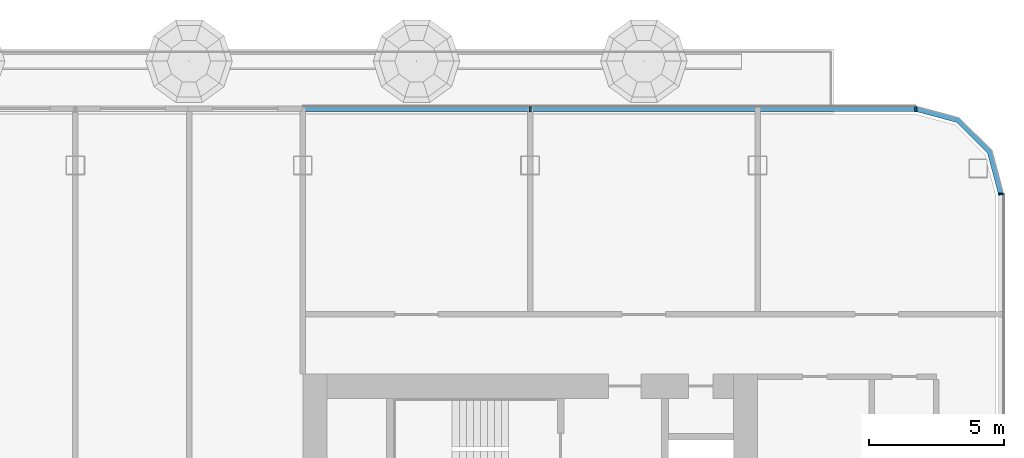
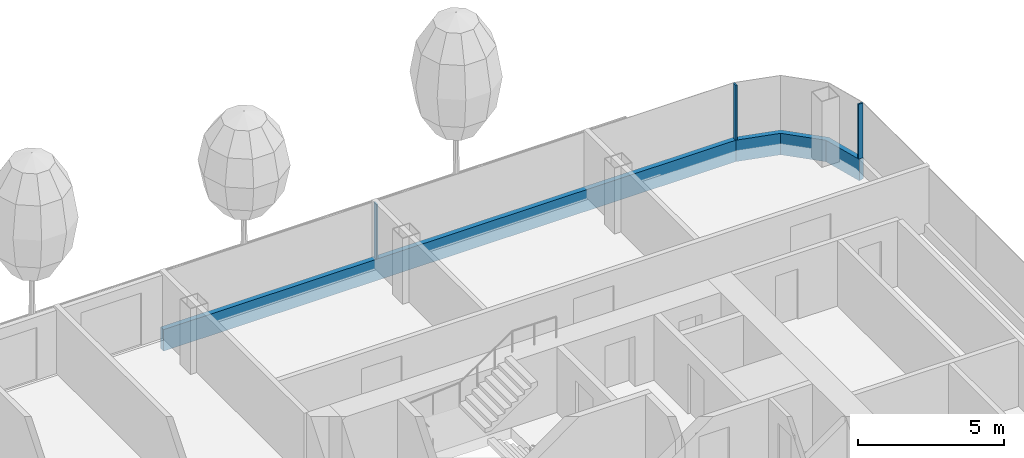
# One storey, part 7 of 32: 5 members, 3 elements without a shape of their own.
"""IFC4 building model written with IfcOpenShell, lengths in metres."""

from ifc_helpers import new_model, si_unit, direction, frame, origin, origin_2d, place, context, subcontext, project, spatial, polyline, rectangle, outline, extrude, material, layer, layer_set, material_profile, profile_set, type_object, element, aggregate, save


model = new_model("IFC4")

# Units and contexts
model_context = context("Model", 3, precision=1e-05, world=origin(), true_north=direction((0.0, 1.0)))
body_context = subcontext(model_context, "Body", "Model", "MODEL_VIEW")
ifc_project = project(units=[si_unit("LENGTHUNIT", "METRE"), si_unit("AREAUNIT", "SQUARE_METRE"), si_unit("VOLUMEUNIT", "CUBIC_METRE"), si_unit("PLANEANGLEUNIT", "RADIAN"), si_unit("MASSUNIT", "GRAM", prefix="KILO")], contexts=[model_context])

# Site, building, storey
site_placement = place(None, origin())
site = spatial("IfcSite", under=ifc_project, at=site_placement, CompositionType="ELEMENT")
building_placement = place(site_placement, origin())
building = spatial("IfcBuilding", under=site, at=building_placement, Name="Hakoniwa Tower and Hamabe Station Hall", CompositionType="ELEMENT")
storey_placement = place(building_placement, frame((0.0, 0.0, 150.199951171875)))
storey = spatial("IfcBuildingStorey", under=building, at=storey_placement, Name="L42", CompositionType="ELEMENT", Elevation=150.199951171875)

# Curtain wall, member
ifc_material_1 = material(Name="Dark low-e laminated glass", Category="glass")
ifc_layer = layer(ifc_material_1, 0.199951171875)
ifc_layer_set = layer_set([ifc_layer], Name="CW-1 UNITISED GUEST")
curtain_wall_type = type_object("IfcCurtainWallType", Name="CW-1 UNITISED GUEST", PredefinedType="NOTDEFINED", material=ifc_layer_set)
curtain_wall_1_placement = place(storey_placement, origin())
curtain_wall_1 = element("IfcCurtainWall", 1, at=curtain_wall_1_placement, inside=storey, type_object=curtain_wall_type, Name="CW-1 curtain wall", PredefinedType="NOTDEFINED")
ifc_material_2 = material(Name="Aluminium 6063-T5 black anodised", Category="aluminium")
ifc_material_profile_1 = material_profile(ifc_material_2, rectangle(XDim=0.199951171875, YDim=0.89990234375, at=origin_2d()), Name="CW SLAB-EDGE BAND 900X200")
ifc_profile_set_1 = profile_set([ifc_material_profile_1], Name="Aluminium 6063-T5 black anodised")
member_type_1 = type_object("IfcMemberType", Name="CW SLAB-EDGE BAND 900X200", PredefinedType="USERDEFINED", material=ifc_profile_set_1)
member_1_placement = place(storey_placement, frame((0.0, 0.0, -0.550048828125)))
member_1 = element("IfcMember", 2, at=member_1_placement, type_object=member_type_1, Name="CW-1 transom", ObjectType="TRANSOM", PredefinedType="USERDEFINED", context=body_context, shape_type="SweptSolid", body=[
    extrude(outline(polyline([(42.699951171875, 15.03955078125), (42.26708984375, 16.6552734375), (41.05517578125, 17.866943359375), (39.439453125, 18.300048828125), (39.3876953125, 18.10693359375), (40.95166015625, 17.687744140625), (42.087646484375, 16.5517578125), (42.5068359375, 14.98779296875), (42.699951171875, 15.03955078125)])), origin(), (0.0, 0.0, 1.0), 0.900146484375),
])
aggregate(curtain_wall_1, [member_1])

curtain_wall_2_placement = place(storey_placement, origin())
curtain_wall_2 = element("IfcCurtainWall", 3, at=curtain_wall_2_placement, inside=storey, type_object=curtain_wall_type, Name="CW-1 curtain wall", PredefinedType="NOTDEFINED")
member_2_placement = place(storey_placement, frame((39.439453125, 18.199951171875, -0.099853515625), z_axis=(-1.0, 0.0, 0.0), x_axis=(0.0, -1.0, 0.0)))
member_2 = element("IfcMember", 4, at=member_2_placement, type_object=member_type_1, Name="CW-1 transom", ObjectType="TRANSOM", PredefinedType="USERDEFINED", context=body_context, shape_type="SweptSolid", body=[
    extrude(rectangle(XDim=0.199951171875, YDim=0.89990234375, at=origin_2d()), origin(), (0.0, 0.0, 1.0), 22.699462890625),
])

curtain_wall_3_placement = place(storey_placement, origin())
curtain_wall_3 = element("IfcCurtainWall", 5, at=curtain_wall_3_placement, inside=storey, type_object=curtain_wall_type, Name="CW-1 curtain wall", PredefinedType="NOTDEFINED")
ifc_material_3 = material(Name="Aluminium 6063-T5 black anodised", Category="aluminium")
ifc_material_profile_2 = material_profile(ifc_material_3, rectangle(XDim=0.06005859375, YDim=0.179931640625, at=origin_2d()), Name="CW-1 MULLION 60X180")
ifc_profile_set_2 = profile_set([ifc_material_profile_2], Name="Aluminium 6063-T5 black anodised")
member_type_2 = type_object("IfcMemberType", Name="CW-1 MULLION 60X180", PredefinedType="MULLION", material=ifc_profile_set_2)
member_3_placement = place(storey_placement, frame((42.58203125, 15.03955078125, 0.35009765625), z_axis=(0.0, 0.0, 1.0), x_axis=(0.0, 1.0, 0.0)))
member_3 = element("IfcMember", 6, at=member_3_placement, type_object=member_type_2, Name="CW-1 mullion", PredefinedType="MULLION", context=body_context, shape_type="SweptSolid", body=[
    extrude(rectangle(XDim=0.06005859375, YDim=0.179931640625, at=origin_2d()), origin(), (0.0, 0.0, 1.0), 2.300048828125),
])
aggregate(curtain_wall_3, [member_3])

# Member
member_4_placement = place(storey_placement, frame((39.439453125, 18.181884765625, 0.35009765625), z_axis=(0.0, 0.0, 1.0), x_axis=(-1.0, 0.0, 0.0)))
member_4 = element("IfcMember", 7, at=member_4_placement, type_object=member_type_2, Name="CW-1 mullion", PredefinedType="MULLION", context=body_context, shape_type="SweptSolid", body=[
    extrude(rectangle(XDim=0.06005859375, YDim=0.179931640625, at=origin_2d()), origin(), (0.0, 0.0, 1.0), 2.300048828125),
])

member_5_placement = place(storey_placement, frame((25.199951171875, 18.181884765625, 0.35009765625), z_axis=(0.0, 0.0, 1.0), x_axis=(-1.0, 0.0, 0.0)))
member_5 = element("IfcMember", 8, at=member_5_placement, type_object=member_type_2, Name="CW-1 mullion", PredefinedType="MULLION", context=body_context, shape_type="SweptSolid", body=[
    extrude(rectangle(XDim=0.06005859375, YDim=0.179931640625, at=origin_2d()), origin(), (0.0, 0.0, 1.0), 2.300048828125),
])

aggregate(curtain_wall_2, [member_4, member_5, member_2])

save(model, "model.ifc")
